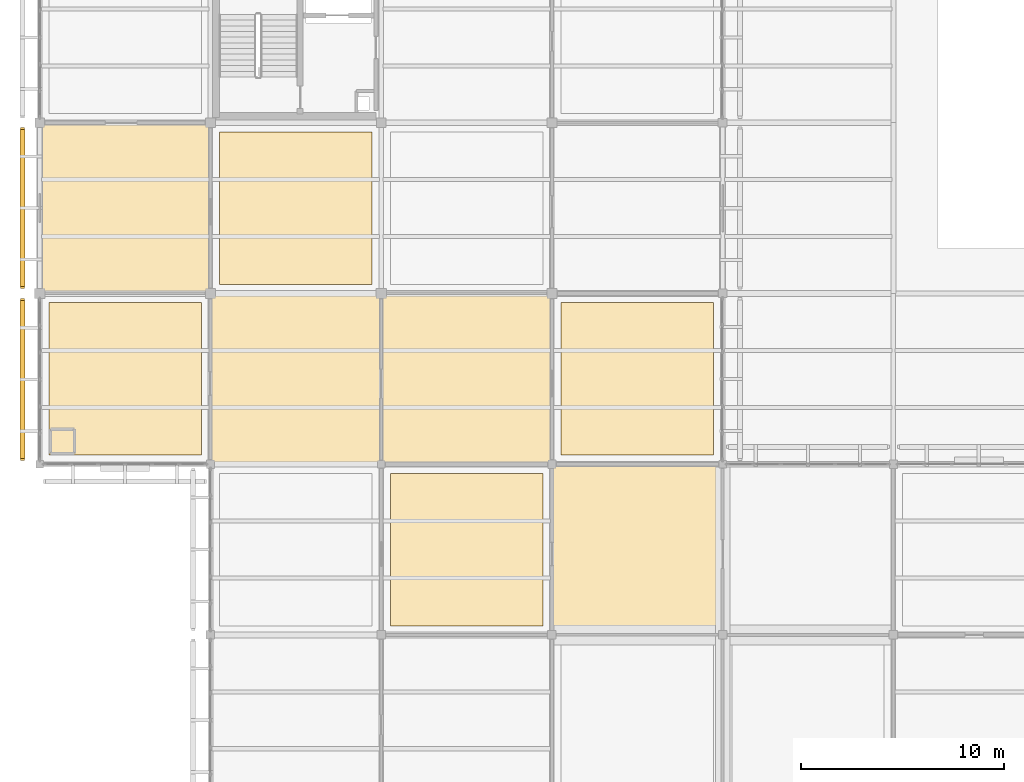
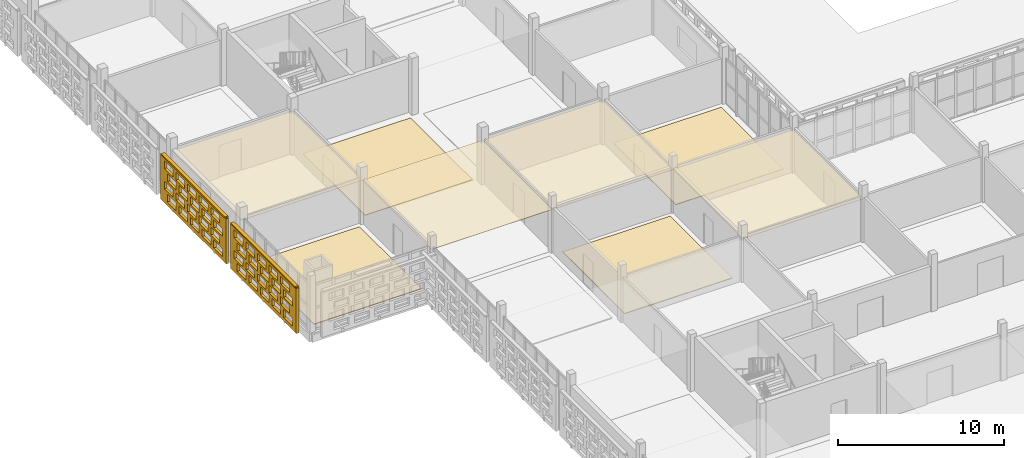
# One storey, part 120 of 166: 10 coverings, 2 shading devices, 40 openings.
"""IFC4 building model written with IfcOpenShell, lengths in metres."""

from ifc_helpers import new_model, si_unit, direction, frame, frame_2d, origin, origin_2d, place, context, subcontext, project, spatial, rectangle, extrude, material, layer, layer_set, type_object, element, save


model = new_model("IFC4")

# Units and contexts
model_context = context("Model", 3, precision=1e-05, world=origin(), true_north=direction((0.0, 1.0)))
body_context = subcontext(model_context, "Body", "Model", "MODEL_VIEW")
ifc_project = project(units=[si_unit("LENGTHUNIT", "METRE"), si_unit("AREAUNIT", "SQUARE_METRE"), si_unit("VOLUMEUNIT", "CUBIC_METRE"), si_unit("PLANEANGLEUNIT", "RADIAN"), si_unit("MASSUNIT", "GRAM", prefix="KILO")], contexts=[model_context])

# Site, building, storey
site_placement = place(None, origin())
site = spatial("IfcSite", under=ifc_project, at=site_placement, CompositionType="ELEMENT")
building_placement = place(site_placement, origin())
building = spatial("IfcBuilding", under=site, at=building_placement, Name="Varnapada Polytechnic", CompositionType="ELEMENT")
storey_placement = place(building_placement, frame((0.0, 0.0, 9.60009765625)))
storey = spatial("IfcBuildingStorey", under=building, at=storey_placement, Name="L02", CompositionType="ELEMENT", Elevation=9.60009765625)

# Coverings
ifc_material_1 = material(Name="Anti-Static Raised Laboratory Flooring")
ifc_layer_1 = layer(ifc_material_1, 0.06005859375)
ifc_layer_set_1 = layer_set([ifc_layer_1], Name="Anti-Static Raised Laboratory Flooring")
covering_type_1 = type_object("IfcCoveringType", Name="Floor Finish FLR-02", PredefinedType="FLOORING", material=ifc_layer_set_1)
covering_1_placement = place(storey_placement, frame((4.199951171875, 46.199951171875, -0.000244140625), z_axis=(0.0, 0.0, 1.0), x_axis=(1.0, 0.0, 0.0)))
element("IfcCovering", 1, at=covering_1_placement, inside=storey, type_object=covering_type_1, Name="L02 floor finish panel (1,6)", PredefinedType="FLOORING", context=body_context, shape_type="SweptSolid", body=[
    extrude(rectangle(XDim=7.5, YDim=7.5, at=origin_2d()), origin(), (0.0, 0.0, 1.0), 0.06005859375),
])
ifc_material_2 = material(Name="End-Grain Timber Studio Block Flooring", Category="wood")
ifc_layer_2 = layer(ifc_material_2, 0.054931640625)
ifc_layer_set_2 = layer_set([ifc_layer_2], Name="End-Grain Timber Studio Block Flooring")
covering_type_2 = type_object("IfcCoveringType", Name="Floor Finish FLR-04", PredefinedType="FLOORING", material=ifc_layer_set_2)
covering_2_placement = place(storey_placement, frame((21.0, 37.800048828125, 0.0), z_axis=(0.0, 0.0, 1.0), x_axis=(1.0, 0.0, 0.0)))
element("IfcCovering", 2, at=covering_2_placement, inside=storey, type_object=covering_type_2, Name="L02 floor finish panel (3,5)", PredefinedType="FLOORING", context=body_context, shape_type="SweptSolid", body=[
    extrude(rectangle(XDim=7.5, YDim=7.5, at=origin_2d()), origin(), (0.0, 0.0, 1.0), 0.054931640625),
])
ifc_material_3 = material(Name="Acoustic Rubber Seminar Flooring")
ifc_layer_3 = layer(ifc_material_3, 0.0400390625)
ifc_layer_set_3 = layer_set([ifc_layer_3], Name="Acoustic Rubber Seminar Flooring")
covering_type_3 = type_object("IfcCoveringType", Name="Floor Finish FLR-06", PredefinedType="FLOORING", material=ifc_layer_set_3)
for number, where, z_axis, x_axis, name in (
    (3, (12.60009765625, 54.60009765625, 0.0), (0.0, 0.0, 1.0), (1.0, 0.0, 0.0), "L02 floor finish panel (2,7)"),
    (4, (29.39990234375, 46.199951171875, 0.0), (0.0, 0.0, 1.0), (1.0, 0.0, 0.0), "L02 floor finish panel (4,6)"),
):
    element("IfcCovering", number, at=place(storey_placement, frame(where, z_axis=z_axis, x_axis=x_axis)), inside=storey, type_object=covering_type_3, Name=name, PredefinedType="FLOORING", context=body_context, shape_type="SweptSolid", body=[
        extrude(rectangle(XDim=7.5, YDim=7.5, at=origin_2d()), origin(), (0.0, 0.0, 1.0), 0.0400390625),
    ])
ifc_material_4 = material(Name="Mineral Fibre Acoustic Ceiling Tile")
ifc_layer_4 = layer(ifc_material_4, 0.0400390625)
ifc_layer_set_4 = layer_set([ifc_layer_4], Name="Mineral Fibre Acoustic Ceiling Tile")
covering_type_4 = type_object("IfcCoveringType", Name="Suspended Ceiling CLG-01", PredefinedType="CEILING", material=ifc_layer_set_4)
covering_3_placement = place(storey_placement, frame((21.0, 46.199951171875, 3.02978515625), z_axis=(0.0, 0.0, 1.0), x_axis=(1.0, 0.0, 0.0)))
element("IfcCovering", 5, at=covering_3_placement, inside=storey, type_object=covering_type_4, Name="L02 suspended acoustic ceiling (3,6)", PredefinedType="CEILING", context=body_context, shape_type="SweptSolid", body=[
    extrude(rectangle(XDim=8.419921875, YDim=8.419921875, at=origin_2d()), origin(), (0.0, 0.0, 1.0), 0.0400390625),
])
ifc_material_5 = material(Name="Moisture-Resistant Aluminum Baffle Ceiling", Category="aluminium")
ifc_layer_5 = layer(ifc_material_5, 0.030029296875)
ifc_layer_set_5 = layer_set([ifc_layer_5], Name="Moisture-Resistant Aluminum Baffle Ceiling")
covering_type_5 = type_object("IfcCoveringType", Name="Suspended Ceiling CLG-03", PredefinedType="CEILING", material=ifc_layer_set_5)
for number, where, z_axis, x_axis, name in (
    (6, (4.199951171875, 54.60009765625, 3.03466796875), (0.0, 0.0, 1.0), (1.0, 0.0, 0.0), "L02 suspended acoustic ceiling (1,7)"),
    (7, (12.60009765625, 46.199951171875, 3.03466796875), (0.0, 0.0, 1.0), (1.0, 0.0, 0.0), "L02 suspended acoustic ceiling (2,6)"),
):
    element("IfcCovering", number, at=place(storey_placement, frame(where, z_axis=z_axis, x_axis=x_axis)), inside=storey, type_object=covering_type_5, Name=name, PredefinedType="CEILING", context=body_context, shape_type="SweptSolid", body=[
        extrude(rectangle(XDim=8.419921875, YDim=8.419921875, at=origin_2d()), origin(), (0.0, 0.0, 1.0), 0.030029296875),
    ])
ifc_material_6 = material(Name="Cleanroom Laboratory Metal Pan Ceiling")
ifc_layer_6 = layer(ifc_material_6, 0.034912109375)
ifc_layer_set_6 = layer_set([ifc_layer_6], Name="Cleanroom Laboratory Metal Pan Ceiling")
covering_type_6 = type_object("IfcCoveringType", Name="Suspended Ceiling CLG-06", PredefinedType="CEILING", material=ifc_layer_set_6)
covering_4_placement = place(storey_placement, frame((29.39990234375, 37.800048828125, 3.0322265625), z_axis=(0.0, 0.0, 1.0), x_axis=(1.0, 0.0, 0.0)))
element("IfcCovering", 8, at=covering_4_placement, inside=storey, type_object=covering_type_6, Name="L02 suspended acoustic ceiling (4,5)", PredefinedType="CEILING", context=body_context, shape_type="SweptSolid", body=[
    extrude(rectangle(XDim=8.419921875, YDim=8.419921875, at=origin_2d()), origin(), (0.0, 0.0, 1.0), 0.034912109375),
])

# Covering, openings
ifc_material_7 = material(Name="Earth-toned architectural terracotta screen block", Category="masonry")
ifc_layer_7 = layer(ifc_material_7, 0.1201171875)
ifc_layer_set_7 = layer_set([ifc_layer_7], Name="Earth-toned architectural terracotta screen block")
covering_type_7 = type_object("IfcCoveringType", Name="Terracotta Screen Cladding CLD-01", PredefinedType="CLADDING", material=ifc_layer_set_7)
covering_5_placement = place(storey_placement, frame((-0.85009765625, 42.18994140625, 0.0), z_axis=(0.0, 0.0, 1.0), x_axis=(0.0, 1.0, 0.0)))
covering_5 = element("IfcCovering", 9, at=covering_5_placement, inside=storey, type_object=covering_type_7, Name="L02 perforated terracotta block screen (2)", PredefinedType="CLADDING", context=body_context, shape_type="SweptSolid", body=[
    extrude(rectangle(XDim=7.9599609375, YDim=0.179931640625, at=frame_2d((3.97998046875, 0.0))), origin(), (0.0, 0.0, 1.0), 3.31982421875),
])
opening_1_placement = place(covering_5_placement, frame((0.47998046875, 0.0, 0.265625)))
element("IfcOpeningElement", 10, at=opening_1_placement, cuts=covering_5, Name="Screen perforation TBS-L02-001.1", PredefinedType="OPENING", context=body_context, shape_type="SweptSolid", body=[
    extrude(rectangle(XDim=1.0400390625, YDim=0.5810546875, at=frame_2d((0.52001953125, 0.29052734375))), frame((0.0, 0.099853515625, 0.0), z_axis=(0.0, -1.0, 0.0), x_axis=(1.0, 0.0, 0.0)), (0.0, 0.0, 1.0), 0.199951171875),
])
opening_2_placement = place(covering_5_placement, frame((1.8798828125, 0.0, 0.265625)))
element("IfcOpeningElement", 11, at=opening_2_placement, cuts=covering_5, Name="Screen perforation TBS-L02-001.2", PredefinedType="OPENING", context=body_context, shape_type="SweptSolid", body=[
    extrude(rectangle(XDim=1.0400390625, YDim=0.5810546875, at=frame_2d((0.52001953125, 0.29052734375))), frame((0.0, 0.099853515625, 0.0), z_axis=(0.0, -1.0, 0.0), x_axis=(1.0, 0.0, 0.0)), (0.0, 0.0, 1.0), 0.199951171875),
])
opening_3_placement = place(covering_5_placement, frame((3.280029296875, 0.0, 0.265625)))
element("IfcOpeningElement", 12, at=opening_3_placement, cuts=covering_5, Name="Screen perforation TBS-L02-001.3", PredefinedType="OPENING", context=body_context, shape_type="SweptSolid", body=[
    extrude(rectangle(XDim=1.0400390625, YDim=0.5810546875, at=frame_2d((0.52001953125, 0.29052734375))), frame((0.0, 0.099853515625, 0.0), z_axis=(0.0, -1.0, 0.0), x_axis=(1.0, 0.0, 0.0)), (0.0, 0.0, 1.0), 0.199951171875),
])
opening_4_placement = place(covering_5_placement, frame((4.679931640625, 0.0, 0.265625)))
element("IfcOpeningElement", 13, at=opening_4_placement, cuts=covering_5, Name="Screen perforation TBS-L02-001.4", PredefinedType="OPENING", context=body_context, shape_type="SweptSolid", body=[
    extrude(rectangle(XDim=1.0400390625, YDim=0.5810546875, at=frame_2d((0.52001953125, 0.29052734375))), frame((0.0, 0.099853515625, 0.0), z_axis=(0.0, -1.0, 0.0), x_axis=(1.0, 0.0, 0.0)), (0.0, 0.0, 1.0), 0.199951171875),
])
opening_5_placement = place(covering_5_placement, frame((6.080078125, 0.0, 0.265625)))
element("IfcOpeningElement", 14, at=opening_5_placement, cuts=covering_5, Name="Screen perforation TBS-L02-001.5", PredefinedType="OPENING", context=body_context, shape_type="SweptSolid", body=[
    extrude(rectangle(XDim=1.0400390625, YDim=0.5810546875, at=frame_2d((0.52001953125, 0.29052734375))), frame((0.0, 0.099853515625, 0.0), z_axis=(0.0, -1.0, 0.0), x_axis=(1.0, 0.0, 0.0)), (0.0, 0.0, 1.0), 0.199951171875),
])
opening_6_placement = place(covering_5_placement, frame((0.840087890625, 0.0, 1.0126953125)))
element("IfcOpeningElement", 15, at=opening_6_placement, cuts=covering_5, Name="Screen perforation TBS-L02-001.6", PredefinedType="OPENING", context=body_context, shape_type="SweptSolid", body=[
    extrude(rectangle(XDim=1.0400390625, YDim=0.5810546875, at=frame_2d((0.52001953125, 0.29052734375))), frame((0.0, 0.099853515625, 0.0), z_axis=(0.0, -1.0, 0.0), x_axis=(1.0, 0.0, 0.0)), (0.0, 0.0, 1.0), 0.199951171875),
])
opening_7_placement = place(covering_5_placement, frame((2.239990234375, 0.0, 1.0126953125)))
element("IfcOpeningElement", 16, at=opening_7_placement, cuts=covering_5, Name="Screen perforation TBS-L02-001.7", PredefinedType="OPENING", context=body_context, shape_type="SweptSolid", body=[
    extrude(rectangle(XDim=1.0400390625, YDim=0.5810546875, at=frame_2d((0.52001953125, 0.29052734375))), frame((0.0, 0.099853515625, 0.0), z_axis=(0.0, -1.0, 0.0), x_axis=(1.0, 0.0, 0.0)), (0.0, 0.0, 1.0), 0.199951171875),
])
opening_8_placement = place(covering_5_placement, frame((3.639892578125, 0.0, 1.0126953125)))
element("IfcOpeningElement", 17, at=opening_8_placement, cuts=covering_5, Name="Screen perforation TBS-L02-001.8", PredefinedType="OPENING", context=body_context, shape_type="SweptSolid", body=[
    extrude(rectangle(XDim=1.0400390625, YDim=0.5810546875, at=frame_2d((0.52001953125, 0.29052734375))), frame((0.0, 0.099853515625, 0.0), z_axis=(0.0, -1.0, 0.0), x_axis=(1.0, 0.0, 0.0)), (0.0, 0.0, 1.0), 0.199951171875),
])
opening_9_placement = place(covering_5_placement, frame((5.0400390625, 0.0, 1.0126953125)))
element("IfcOpeningElement", 18, at=opening_9_placement, cuts=covering_5, Name="Screen perforation TBS-L02-001.9", PredefinedType="OPENING", context=body_context, shape_type="SweptSolid", body=[
    extrude(rectangle(XDim=1.0400390625, YDim=0.5810546875, at=frame_2d((0.52001953125, 0.29052734375))), frame((0.0, 0.099853515625, 0.0), z_axis=(0.0, -1.0, 0.0), x_axis=(1.0, 0.0, 0.0)), (0.0, 0.0, 1.0), 0.199951171875),
])
opening_10_placement = place(covering_5_placement, frame((6.43994140625, 0.0, 1.0126953125)))
element("IfcOpeningElement", 19, at=opening_10_placement, cuts=covering_5, Name="Screen perforation TBS-L02-001.10", PredefinedType="OPENING", context=body_context, shape_type="SweptSolid", body=[
    extrude(rectangle(XDim=1.0400390625, YDim=0.5810546875, at=frame_2d((0.52001953125, 0.29052734375))), frame((0.0, 0.099853515625, 0.0), z_axis=(0.0, -1.0, 0.0), x_axis=(1.0, 0.0, 0.0)), (0.0, 0.0, 1.0), 0.199951171875),
])
opening_11_placement = place(covering_5_placement, frame((0.47998046875, 0.0, 1.759521484375)))
element("IfcOpeningElement", 20, at=opening_11_placement, cuts=covering_5, Name="Screen perforation TBS-L02-001.11", PredefinedType="OPENING", context=body_context, shape_type="SweptSolid", body=[
    extrude(rectangle(XDim=1.0400390625, YDim=0.5810546875, at=frame_2d((0.52001953125, 0.29052734375))), frame((0.0, 0.099853515625, 0.0), z_axis=(0.0, -1.0, 0.0), x_axis=(1.0, 0.0, 0.0)), (0.0, 0.0, 1.0), 0.199951171875),
])
opening_12_placement = place(covering_5_placement, frame((1.8798828125, 0.0, 1.759521484375)))
element("IfcOpeningElement", 21, at=opening_12_placement, cuts=covering_5, Name="Screen perforation TBS-L02-001.12", PredefinedType="OPENING", context=body_context, shape_type="SweptSolid", body=[
    extrude(rectangle(XDim=1.0400390625, YDim=0.5810546875, at=frame_2d((0.52001953125, 0.29052734375))), frame((0.0, 0.099853515625, 0.0), z_axis=(0.0, -1.0, 0.0), x_axis=(1.0, 0.0, 0.0)), (0.0, 0.0, 1.0), 0.199951171875),
])
opening_13_placement = place(covering_5_placement, frame((3.280029296875, 0.0, 1.759521484375)))
element("IfcOpeningElement", 22, at=opening_13_placement, cuts=covering_5, Name="Screen perforation TBS-L02-001.13", PredefinedType="OPENING", context=body_context, shape_type="SweptSolid", body=[
    extrude(rectangle(XDim=1.0400390625, YDim=0.5810546875, at=frame_2d((0.52001953125, 0.29052734375))), frame((0.0, 0.099853515625, 0.0), z_axis=(0.0, -1.0, 0.0), x_axis=(1.0, 0.0, 0.0)), (0.0, 0.0, 1.0), 0.199951171875),
])
opening_14_placement = place(covering_5_placement, frame((4.679931640625, 0.0, 1.759521484375)))
element("IfcOpeningElement", 23, at=opening_14_placement, cuts=covering_5, Name="Screen perforation TBS-L02-001.14", PredefinedType="OPENING", context=body_context, shape_type="SweptSolid", body=[
    extrude(rectangle(XDim=1.0400390625, YDim=0.5810546875, at=frame_2d((0.52001953125, 0.29052734375))), frame((0.0, 0.099853515625, 0.0), z_axis=(0.0, -1.0, 0.0), x_axis=(1.0, 0.0, 0.0)), (0.0, 0.0, 1.0), 0.199951171875),
])
opening_15_placement = place(covering_5_placement, frame((6.080078125, 0.0, 1.759521484375)))
element("IfcOpeningElement", 24, at=opening_15_placement, cuts=covering_5, Name="Screen perforation TBS-L02-001.15", PredefinedType="OPENING", context=body_context, shape_type="SweptSolid", body=[
    extrude(rectangle(XDim=1.0400390625, YDim=0.5810546875, at=frame_2d((0.52001953125, 0.29052734375))), frame((0.0, 0.099853515625, 0.0), z_axis=(0.0, -1.0, 0.0), x_axis=(1.0, 0.0, 0.0)), (0.0, 0.0, 1.0), 0.199951171875),
])
opening_16_placement = place(covering_5_placement, frame((0.840087890625, 0.0, 2.506591796875)))
element("IfcOpeningElement", 25, at=opening_16_placement, cuts=covering_5, Name="Screen perforation TBS-L02-001.16", PredefinedType="OPENING", context=body_context, shape_type="SweptSolid", body=[
    extrude(rectangle(XDim=1.0400390625, YDim=0.5810546875, at=frame_2d((0.52001953125, 0.29052734375))), frame((0.0, 0.099853515625, 0.0), z_axis=(0.0, -1.0, 0.0), x_axis=(1.0, 0.0, 0.0)), (0.0, 0.0, 1.0), 0.199951171875),
])
opening_17_placement = place(covering_5_placement, frame((2.239990234375, 0.0, 2.506591796875)))
element("IfcOpeningElement", 26, at=opening_17_placement, cuts=covering_5, Name="Screen perforation TBS-L02-001.17", PredefinedType="OPENING", context=body_context, shape_type="SweptSolid", body=[
    extrude(rectangle(XDim=1.0400390625, YDim=0.5810546875, at=frame_2d((0.52001953125, 0.29052734375))), frame((0.0, 0.099853515625, 0.0), z_axis=(0.0, -1.0, 0.0), x_axis=(1.0, 0.0, 0.0)), (0.0, 0.0, 1.0), 0.199951171875),
])
opening_18_placement = place(covering_5_placement, frame((3.639892578125, 0.0, 2.506591796875)))
element("IfcOpeningElement", 27, at=opening_18_placement, cuts=covering_5, Name="Screen perforation TBS-L02-001.18", PredefinedType="OPENING", context=body_context, shape_type="SweptSolid", body=[
    extrude(rectangle(XDim=1.0400390625, YDim=0.5810546875, at=frame_2d((0.52001953125, 0.29052734375))), frame((0.0, 0.099853515625, 0.0), z_axis=(0.0, -1.0, 0.0), x_axis=(1.0, 0.0, 0.0)), (0.0, 0.0, 1.0), 0.199951171875),
])
opening_19_placement = place(covering_5_placement, frame((5.0400390625, 0.0, 2.506591796875)))
element("IfcOpeningElement", 28, at=opening_19_placement, cuts=covering_5, Name="Screen perforation TBS-L02-001.19", PredefinedType="OPENING", context=body_context, shape_type="SweptSolid", body=[
    extrude(rectangle(XDim=1.0400390625, YDim=0.5810546875, at=frame_2d((0.52001953125, 0.29052734375))), frame((0.0, 0.099853515625, 0.0), z_axis=(0.0, -1.0, 0.0), x_axis=(1.0, 0.0, 0.0)), (0.0, 0.0, 1.0), 0.199951171875),
])
opening_20_placement = place(covering_5_placement, frame((6.43994140625, 0.0, 2.506591796875)))
element("IfcOpeningElement", 29, at=opening_20_placement, cuts=covering_5, Name="Screen perforation TBS-L02-001.20", PredefinedType="OPENING", context=body_context, shape_type="SweptSolid", body=[
    extrude(rectangle(XDim=1.0400390625, YDim=0.5810546875, at=frame_2d((0.52001953125, 0.29052734375))), frame((0.0, 0.099853515625, 0.0), z_axis=(0.0, -1.0, 0.0), x_axis=(1.0, 0.0, 0.0)), (0.0, 0.0, 1.0), 0.199951171875),
])

covering_6_placement = place(storey_placement, frame((-0.85009765625, 50.64990234375, 0.0), z_axis=(0.0, 0.0, 1.0), x_axis=(0.0, 1.0, 0.0)))
covering_6 = element("IfcCovering", 30, at=covering_6_placement, inside=storey, type_object=covering_type_7, Name="L02 perforated terracotta block screen (3)", PredefinedType="CLADDING", context=body_context, shape_type="SweptSolid", body=[
    extrude(rectangle(XDim=7.91015625, YDim=0.179931640625, at=frame_2d((3.955078125, 0.0))), origin(), (0.0, 0.0, 1.0), 3.31982421875),
])
opening_21_placement = place(covering_6_placement, frame((0.455078125, 0.0, 0.265625)))
element("IfcOpeningElement", 31, at=opening_21_placement, cuts=covering_6, Name="Screen perforation TBS-L02-002.1", PredefinedType="OPENING", context=body_context, shape_type="SweptSolid", body=[
    extrude(rectangle(XDim=1.0400390625, YDim=0.5810546875, at=frame_2d((0.52001953125, 0.29052734375))), frame((0.0, 0.099853515625, 0.0), z_axis=(0.0, -1.0, 0.0), x_axis=(1.0, 0.0, 0.0)), (0.0, 0.0, 1.0), 0.199951171875),
])
opening_22_placement = place(covering_6_placement, frame((1.85498046875, 0.0, 0.265625)))
element("IfcOpeningElement", 32, at=opening_22_placement, cuts=covering_6, Name="Screen perforation TBS-L02-002.2", PredefinedType="OPENING", context=body_context, shape_type="SweptSolid", body=[
    extrude(rectangle(XDim=1.0400390625, YDim=0.5810546875, at=frame_2d((0.52001953125, 0.29052734375))), frame((0.0, 0.099853515625, 0.0), z_axis=(0.0, -1.0, 0.0), x_axis=(1.0, 0.0, 0.0)), (0.0, 0.0, 1.0), 0.199951171875),
])
opening_23_placement = place(covering_6_placement, frame((3.2548828125, 0.0, 0.265625)))
element("IfcOpeningElement", 33, at=opening_23_placement, cuts=covering_6, Name="Screen perforation TBS-L02-002.3", PredefinedType="OPENING", context=body_context, shape_type="SweptSolid", body=[
    extrude(rectangle(XDim=1.0400390625, YDim=0.5810546875, at=frame_2d((0.52001953125, 0.29052734375))), frame((0.0, 0.099853515625, 0.0), z_axis=(0.0, -1.0, 0.0), x_axis=(1.0, 0.0, 0.0)), (0.0, 0.0, 1.0), 0.199951171875),
])
opening_24_placement = place(covering_6_placement, frame((4.655029296875, 0.0, 0.265625)))
element("IfcOpeningElement", 34, at=opening_24_placement, cuts=covering_6, Name="Screen perforation TBS-L02-002.4", PredefinedType="OPENING", context=body_context, shape_type="SweptSolid", body=[
    extrude(rectangle(XDim=1.0400390625, YDim=0.5810546875, at=frame_2d((0.52001953125, 0.29052734375))), frame((0.0, 0.099853515625, 0.0), z_axis=(0.0, -1.0, 0.0), x_axis=(1.0, 0.0, 0.0)), (0.0, 0.0, 1.0), 0.199951171875),
])
opening_25_placement = place(covering_6_placement, frame((6.054931640625, 0.0, 0.265625)))
element("IfcOpeningElement", 35, at=opening_25_placement, cuts=covering_6, Name="Screen perforation TBS-L02-002.5", PredefinedType="OPENING", context=body_context, shape_type="SweptSolid", body=[
    extrude(rectangle(XDim=1.0400390625, YDim=0.5810546875, at=frame_2d((0.52001953125, 0.29052734375))), frame((0.0, 0.099853515625, 0.0), z_axis=(0.0, -1.0, 0.0), x_axis=(1.0, 0.0, 0.0)), (0.0, 0.0, 1.0), 0.199951171875),
])
opening_26_placement = place(covering_6_placement, frame((0.81494140625, 0.0, 1.0126953125)))
element("IfcOpeningElement", 36, at=opening_26_placement, cuts=covering_6, Name="Screen perforation TBS-L02-002.6", PredefinedType="OPENING", context=body_context, shape_type="SweptSolid", body=[
    extrude(rectangle(XDim=1.0400390625, YDim=0.5810546875, at=frame_2d((0.52001953125, 0.29052734375))), frame((0.0, 0.099853515625, 0.0), z_axis=(0.0, -1.0, 0.0), x_axis=(1.0, 0.0, 0.0)), (0.0, 0.0, 1.0), 0.199951171875),
])
opening_27_placement = place(covering_6_placement, frame((2.215087890625, 0.0, 1.0126953125)))
element("IfcOpeningElement", 37, at=opening_27_placement, cuts=covering_6, Name="Screen perforation TBS-L02-002.7", PredefinedType="OPENING", context=body_context, shape_type="SweptSolid", body=[
    extrude(rectangle(XDim=1.0400390625, YDim=0.5810546875, at=frame_2d((0.52001953125, 0.29052734375))), frame((0.0, 0.099853515625, 0.0), z_axis=(0.0, -1.0, 0.0), x_axis=(1.0, 0.0, 0.0)), (0.0, 0.0, 1.0), 0.199951171875),
])
opening_28_placement = place(covering_6_placement, frame((3.614990234375, 0.0, 1.0126953125)))
element("IfcOpeningElement", 38, at=opening_28_placement, cuts=covering_6, Name="Screen perforation TBS-L02-002.8", PredefinedType="OPENING", context=body_context, shape_type="SweptSolid", body=[
    extrude(rectangle(XDim=1.0400390625, YDim=0.5810546875, at=frame_2d((0.52001953125, 0.29052734375))), frame((0.0, 0.099853515625, 0.0), z_axis=(0.0, -1.0, 0.0), x_axis=(1.0, 0.0, 0.0)), (0.0, 0.0, 1.0), 0.199951171875),
])
opening_29_placement = place(covering_6_placement, frame((5.014892578125, 0.0, 1.0126953125)))
element("IfcOpeningElement", 39, at=opening_29_placement, cuts=covering_6, Name="Screen perforation TBS-L02-002.9", PredefinedType="OPENING", context=body_context, shape_type="SweptSolid", body=[
    extrude(rectangle(XDim=1.0400390625, YDim=0.5810546875, at=frame_2d((0.52001953125, 0.29052734375))), frame((0.0, 0.099853515625, 0.0), z_axis=(0.0, -1.0, 0.0), x_axis=(1.0, 0.0, 0.0)), (0.0, 0.0, 1.0), 0.199951171875),
])
opening_30_placement = place(covering_6_placement, frame((6.4150390625, 0.0, 1.0126953125)))
element("IfcOpeningElement", 40, at=opening_30_placement, cuts=covering_6, Name="Screen perforation TBS-L02-002.10", PredefinedType="OPENING", context=body_context, shape_type="SweptSolid", body=[
    extrude(rectangle(XDim=1.0400390625, YDim=0.5810546875, at=frame_2d((0.52001953125, 0.29052734375))), frame((0.0, 0.099853515625, 0.0), z_axis=(0.0, -1.0, 0.0), x_axis=(1.0, 0.0, 0.0)), (0.0, 0.0, 1.0), 0.199951171875),
])
opening_31_placement = place(covering_6_placement, frame((0.455078125, 0.0, 1.759521484375)))
element("IfcOpeningElement", 41, at=opening_31_placement, cuts=covering_6, Name="Screen perforation TBS-L02-002.11", PredefinedType="OPENING", context=body_context, shape_type="SweptSolid", body=[
    extrude(rectangle(XDim=1.0400390625, YDim=0.5810546875, at=frame_2d((0.52001953125, 0.29052734375))), frame((0.0, 0.099853515625, 0.0), z_axis=(0.0, -1.0, 0.0), x_axis=(1.0, 0.0, 0.0)), (0.0, 0.0, 1.0), 0.199951171875),
])
opening_32_placement = place(covering_6_placement, frame((1.85498046875, 0.0, 1.759521484375)))
element("IfcOpeningElement", 42, at=opening_32_placement, cuts=covering_6, Name="Screen perforation TBS-L02-002.12", PredefinedType="OPENING", context=body_context, shape_type="SweptSolid", body=[
    extrude(rectangle(XDim=1.0400390625, YDim=0.5810546875, at=frame_2d((0.52001953125, 0.29052734375))), frame((0.0, 0.099853515625, 0.0), z_axis=(0.0, -1.0, 0.0), x_axis=(1.0, 0.0, 0.0)), (0.0, 0.0, 1.0), 0.199951171875),
])
opening_33_placement = place(covering_6_placement, frame((3.2548828125, 0.0, 1.759521484375)))
element("IfcOpeningElement", 43, at=opening_33_placement, cuts=covering_6, Name="Screen perforation TBS-L02-002.13", PredefinedType="OPENING", context=body_context, shape_type="SweptSolid", body=[
    extrude(rectangle(XDim=1.0400390625, YDim=0.5810546875, at=frame_2d((0.52001953125, 0.29052734375))), frame((0.0, 0.099853515625, 0.0), z_axis=(0.0, -1.0, 0.0), x_axis=(1.0, 0.0, 0.0)), (0.0, 0.0, 1.0), 0.199951171875),
])
opening_34_placement = place(covering_6_placement, frame((4.655029296875, 0.0, 1.759521484375)))
element("IfcOpeningElement", 44, at=opening_34_placement, cuts=covering_6, Name="Screen perforation TBS-L02-002.14", PredefinedType="OPENING", context=body_context, shape_type="SweptSolid", body=[
    extrude(rectangle(XDim=1.0400390625, YDim=0.5810546875, at=frame_2d((0.52001953125, 0.29052734375))), frame((0.0, 0.099853515625, 0.0), z_axis=(0.0, -1.0, 0.0), x_axis=(1.0, 0.0, 0.0)), (0.0, 0.0, 1.0), 0.199951171875),
])
opening_35_placement = place(covering_6_placement, frame((6.054931640625, 0.0, 1.759521484375)))
element("IfcOpeningElement", 45, at=opening_35_placement, cuts=covering_6, Name="Screen perforation TBS-L02-002.15", PredefinedType="OPENING", context=body_context, shape_type="SweptSolid", body=[
    extrude(rectangle(XDim=1.0400390625, YDim=0.5810546875, at=frame_2d((0.52001953125, 0.29052734375))), frame((0.0, 0.099853515625, 0.0), z_axis=(0.0, -1.0, 0.0), x_axis=(1.0, 0.0, 0.0)), (0.0, 0.0, 1.0), 0.199951171875),
])
opening_36_placement = place(covering_6_placement, frame((0.81494140625, 0.0, 2.506591796875)))
element("IfcOpeningElement", 46, at=opening_36_placement, cuts=covering_6, Name="Screen perforation TBS-L02-002.16", PredefinedType="OPENING", context=body_context, shape_type="SweptSolid", body=[
    extrude(rectangle(XDim=1.0400390625, YDim=0.5810546875, at=frame_2d((0.52001953125, 0.29052734375))), frame((0.0, 0.099853515625, 0.0), z_axis=(0.0, -1.0, 0.0), x_axis=(1.0, 0.0, 0.0)), (0.0, 0.0, 1.0), 0.199951171875),
])
opening_37_placement = place(covering_6_placement, frame((2.215087890625, 0.0, 2.506591796875)))
element("IfcOpeningElement", 47, at=opening_37_placement, cuts=covering_6, Name="Screen perforation TBS-L02-002.17", PredefinedType="OPENING", context=body_context, shape_type="SweptSolid", body=[
    extrude(rectangle(XDim=1.0400390625, YDim=0.5810546875, at=frame_2d((0.52001953125, 0.29052734375))), frame((0.0, 0.099853515625, 0.0), z_axis=(0.0, -1.0, 0.0), x_axis=(1.0, 0.0, 0.0)), (0.0, 0.0, 1.0), 0.199951171875),
])
opening_38_placement = place(covering_6_placement, frame((3.614990234375, 0.0, 2.506591796875)))
element("IfcOpeningElement", 48, at=opening_38_placement, cuts=covering_6, Name="Screen perforation TBS-L02-002.18", PredefinedType="OPENING", context=body_context, shape_type="SweptSolid", body=[
    extrude(rectangle(XDim=1.0400390625, YDim=0.5810546875, at=frame_2d((0.52001953125, 0.29052734375))), frame((0.0, 0.099853515625, 0.0), z_axis=(0.0, -1.0, 0.0), x_axis=(1.0, 0.0, 0.0)), (0.0, 0.0, 1.0), 0.199951171875),
])
opening_39_placement = place(covering_6_placement, frame((5.014892578125, 0.0, 2.506591796875)))
element("IfcOpeningElement", 49, at=opening_39_placement, cuts=covering_6, Name="Screen perforation TBS-L02-002.19", PredefinedType="OPENING", context=body_context, shape_type="SweptSolid", body=[
    extrude(rectangle(XDim=1.0400390625, YDim=0.5810546875, at=frame_2d((0.52001953125, 0.29052734375))), frame((0.0, 0.099853515625, 0.0), z_axis=(0.0, -1.0, 0.0), x_axis=(1.0, 0.0, 0.0)), (0.0, 0.0, 1.0), 0.199951171875),
])
opening_40_placement = place(covering_6_placement, frame((6.4150390625, 0.0, 2.506591796875)))
element("IfcOpeningElement", 50, at=opening_40_placement, cuts=covering_6, Name="Screen perforation TBS-L02-002.20", PredefinedType="OPENING", context=body_context, shape_type="SweptSolid", body=[
    extrude(rectangle(XDim=1.0400390625, YDim=0.5810546875, at=frame_2d((0.52001953125, 0.29052734375))), frame((0.0, 0.099853515625, 0.0), z_axis=(0.0, -1.0, 0.0), x_axis=(1.0, 0.0, 0.0)), (0.0, 0.0, 1.0), 0.199951171875),
])

# Shading devices
ifc_layer_8 = layer(ifc_material_7, 0.179931640625)
ifc_layer_set_8 = layer_set([ifc_layer_8], Name="Earth-toned architectural terracotta screen block")
shading_device_type = type_object("IfcShadingDeviceType", Name="Terracotta Screen SCR-01", PredefinedType="USERDEFINED", material=ifc_layer_set_8)
shading_device_1_placement = place(storey_placement, frame((-0.85009765625, 46.169921875, 3.309814453125), z_axis=(0.0, 0.0, 1.0), x_axis=(0.0, 1.0, 0.0)))
element("IfcShadingDevice", 51, at=shading_device_1_placement, inside=storey, type_object=shading_device_type, Name="L02 perforated terracotta screen hood 232", ObjectType="SCREEN", PredefinedType="USERDEFINED", context=body_context, shape_type="SweptSolid", body=[
    extrude(rectangle(XDim=7.760009765625, YDim=0.239990234375, at=origin_2d()), origin(), (0.0, 0.0, 1.0), 0.10009765625),
])
shading_device_2_placement = place(storey_placement, frame((-0.85009765625, 54.60498046875, 3.309814453125), z_axis=(0.0, 0.0, 1.0), x_axis=(0.0, 1.0, 0.0)))
element("IfcShadingDevice", 52, at=shading_device_2_placement, inside=storey, type_object=shading_device_type, Name="L02 perforated terracotta screen hood 233", ObjectType="SCREEN", PredefinedType="USERDEFINED", context=body_context, shape_type="SweptSolid", body=[
    extrude(rectangle(XDim=7.7099609375, YDim=0.239990234375, at=origin_2d()), origin(), (0.0, 0.0, 1.0), 0.10009765625),
])

save(model, "model.ifc")
